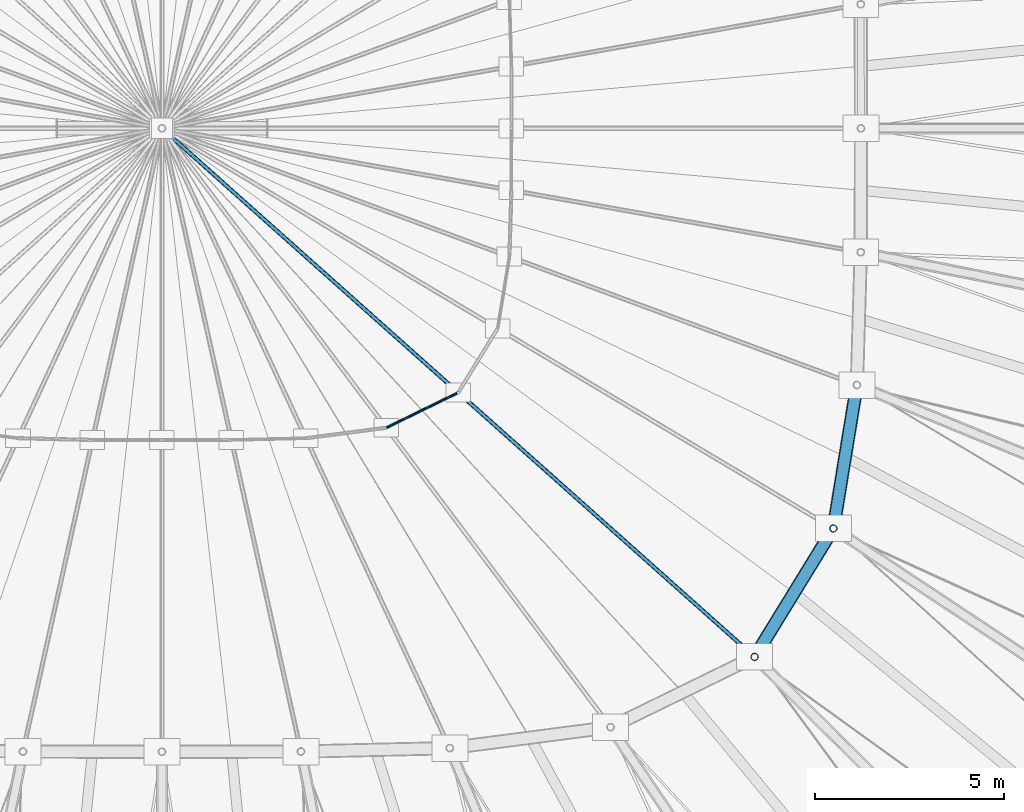
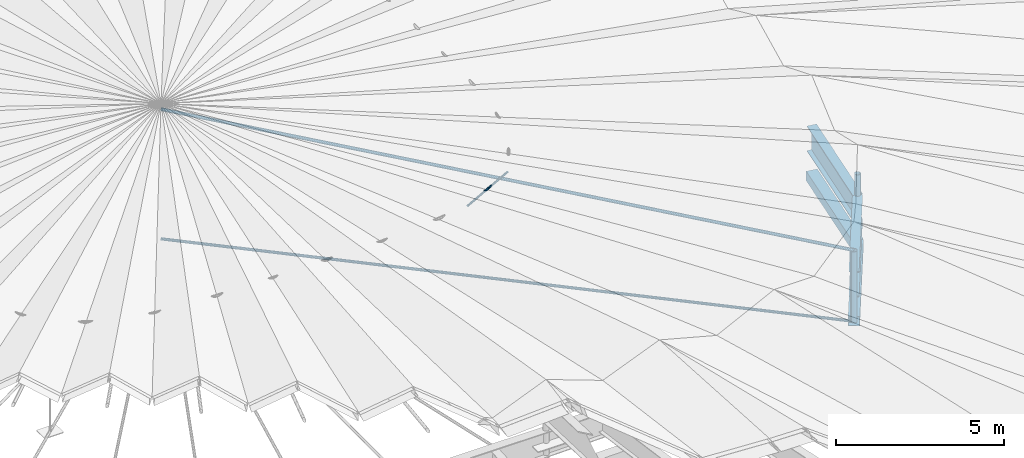
# One storey, part 20 of 41: 7 members, 2 beams.
"""IFC4 building model written with IfcOpenShell, lengths in metres."""

from ifc_helpers import new_model, si_unit, direction, frame, origin, origin_2d, place, context, subcontext, project, spatial, hollow_rectangle, circle, hollow_circle, i_section, extrude, material, material_profile, profile_set, type_object, element, save


model = new_model("IFC4")

# Units and contexts
model_context = context("Model", 3, precision=1e-05, world=origin(), true_north=direction((0.0, 1.0)))
body_context = subcontext(model_context, "Body", "Model", "MODEL_VIEW")
ifc_project = project(units=[si_unit("LENGTHUNIT", "METRE"), si_unit("AREAUNIT", "SQUARE_METRE"), si_unit("VOLUMEUNIT", "CUBIC_METRE"), si_unit("PLANEANGLEUNIT", "RADIAN"), si_unit("MASSUNIT", "GRAM", prefix="KILO")], contexts=[model_context])

# Site, building, storey
site_placement = place(None, origin())
site = spatial("IfcSite", under=ifc_project, at=site_placement, CompositionType="ELEMENT")
building_placement = place(site_placement, origin())
building = spatial("IfcBuilding", under=site, at=building_placement, Name="Luwafu Chhajja Arena", CompositionType="ELEMENT")
storey_placement = place(building_placement, frame((0.0, 0.0, 29.699951171875)))
storey = spatial("IfcBuildingStorey", under=building, at=storey_placement, Name="RF", CompositionType="ELEMENT", Elevation=29.699951171875)

# Members
ifc_material_1 = material(Name="Steel S355", Category="steel")
ifc_material_profile_1 = material_profile(ifc_material_1, hollow_circle(Radius=0.096923828125, WallThickness=0.008056640625, at=origin_2d()), Name="CHS 193.7x8")
ifc_profile_set_1 = profile_set([ifc_material_profile_1], Name="Steel S355")
member_type_1 = type_object("IfcMemberType", Name="Folded Pleat Tie Strut CHS 194", PredefinedType="BRACE", material=ifc_profile_set_1)
for number, where, z_axis, x_axis, name in (
    (1, (114.685546875, 35.51025390625, 4.10009765625), (0.0, 0.0, 1.0), (1.0, 0.0, 0.0), "Roof Inner Ring Truss Web IRW-29"),
    (2, (116.771240234375, 38.909423828125, 4.10009765625), (0.0, 0.0, 1.0), (1.0, 0.0, 0.0), "Roof Inner Ring Truss Web IRW-30"),
):
    element("IfcMember", number, at=place(storey_placement, frame(where, z_axis=z_axis, x_axis=x_axis)), inside=storey, type_object=member_type_1, Name=name, PredefinedType="BRACE", context=body_context, shape_type="SweptSolid", body=[
        extrude(hollow_circle(Radius=0.096923828125, WallThickness=0.008056640625, at=origin_2d()), origin(), (0.0, 0.0, 1.0), 2.579833984375),
    ])

# Beams
ifc_material_profile_2 = material_profile(ifc_material_1, i_section(OverallWidth=0.305419921875, OverallDepth=0.91845703125, WebThickness=0.017333984375, FlangeThickness=0.02783203125, at=origin_2d()), Name="UB 914x305x253")
ifc_profile_set_2 = profile_set([ifc_material_profile_2], Name="Steel S355")
beam_type = type_object("IfcBeamType", Name="Inner Tension Ring Girder UB 914x305x253", PredefinedType="BEAM", material=ifc_profile_set_2)
beam_1_placement = place(storey_placement, frame((114.685546875, 35.51025390625, 5.449951171875), z_axis=(0.522986908325, 0.852340714574, 0.0), x_axis=(-0.852340714574, 0.522986908325, 0.0)))
element("IfcBeam", 3, at=beam_1_placement, inside=storey, type_object=beam_type, Name="Roof Inner Tension Ring Beam IR-29", PredefinedType="BEAM", context=body_context, shape_type="SweptSolid", body=[
    extrude(i_section(OverallWidth=0.305419921875, OverallDepth=0.91845703125, WebThickness=0.017333984375, FlangeThickness=0.02783203125, at=origin_2d()), origin(), (0.0, 0.0, 1.0), 3.988037109375),
])
beam_2_placement = place(storey_placement, frame((116.771240234375, 38.909423828125, 5.449951171875), z_axis=(0.161608835362, 0.986854895277, 0.0), x_axis=(-0.986854895277, 0.161608835362, 0.0)))
element("IfcBeam", 4, at=beam_2_placement, inside=storey, type_object=beam_type, Name="Roof Inner Tension Ring Beam IR-30", PredefinedType="BEAM", context=body_context, shape_type="SweptSolid", body=[
    extrude(i_section(OverallWidth=0.305419921875, OverallDepth=0.91845703125, WebThickness=0.017333984375, FlangeThickness=0.02783203125, at=origin_2d()), origin(), (0.0, 0.0, 1.0), 3.84619140625),
])

# Members
ifc_material_2 = material(Name="Steel S460", Category="steel")
ifc_material_profile_3 = material_profile(ifc_material_2, circle(Radius=0.054931640625, at=origin_2d()), Name="CABLE D110")
ifc_profile_set_3 = profile_set([ifc_material_profile_3], Name="Steel S460")
member_type_2 = type_object("IfcMemberType", Name="Oculus Radial Main Cable D110", PredefinedType="USERDEFINED", material=ifc_profile_set_3)
member_1_placement = place(storey_placement, frame((114.685546875, 35.51025390625, 6.679931640625), z_axis=(-0.742528858031, 0.662252344398, 0.100362977885), x_axis=(-0.665613098431, -0.746296993962, 0.0)))
element("IfcMember", 5, at=member_1_placement, inside=storey, type_object=member_type_2, Name="Cable net main cable CBM-29", ObjectType="CABLE", PredefinedType="USERDEFINED", context=body_context, shape_type="SweptSolid", body=[
    extrude(circle(Radius=0.054931640625, at=origin_2d()), origin(), (0.0, 0.0, 1.0), 21.12451171875),
])
ifc_material_profile_4 = material_profile(ifc_material_2, circle(Radius=0.047607421875, at=origin_2d()), Name="CABLE D95")
ifc_profile_set_4 = profile_set([ifc_material_profile_4], Name="Steel S460")
member_type_3 = type_object("IfcMemberType", Name="Oculus Radial Stabilizing Cable D95", PredefinedType="USERDEFINED", material=ifc_profile_set_4)
member_2_placement = place(storey_placement, frame((114.685546875, 35.51025390625, 4.10009765625), z_axis=(-0.746296993962, 0.665613098431, 0.0), x_axis=(-0.665613098431, -0.746296993962, 0.0)))
element("IfcMember", 6, at=member_2_placement, inside=storey, type_object=member_type_3, Name="Cable net radial split stabilizing cable CBS-29", ObjectType="CABLE", PredefinedType="USERDEFINED", context=body_context, shape_type="SweptSolid", body=[
    extrude(circle(Radius=0.047607421875, at=origin_2d()), origin(), (0.0, 0.0, 1.0), 21.017822265625),
])
ifc_material_profile_5 = material_profile(ifc_material_2, circle(Radius=0.034912109375, at=origin_2d()), Name="CABLE D70")
ifc_profile_set_5 = profile_set([ifc_material_profile_5], Name="Steel S460")
member_type_4 = type_object("IfcMemberType", Name="Oculus Secondary Tie Cable D70", PredefinedType="USERDEFINED", material=ifc_profile_set_5)
member_3_placement = place(storey_placement, frame((104.937255859375, 41.574951171875, 8.02001953125), z_axis=(0.89864668968, 0.438673143841, 0.0), x_axis=(-0.438673143841, 0.89864668968, 0.0)))
element("IfcMember", 7, at=member_3_placement, inside=storey, type_object=member_type_4, Name="Cable net hoop cable CBH-28", ObjectType="CABLE", PredefinedType="USERDEFINED", context=body_context, shape_type="SweptSolid", body=[
    extrude(circle(Radius=0.034912109375, at=origin_2d()), origin(), (0.0, 0.0, 1.0), 2.120361328125),
])
ifc_material_profile_6 = material_profile(ifc_material_1, hollow_rectangle(XDim=0.35009765625, YDim=0.35009765625, WallThickness=0.01611328125, at=origin_2d()), Name="SHS 350x350x16")
ifc_profile_set_6 = profile_set([ifc_material_profile_6], Name="Steel S355")
member_type_5 = type_object("IfcMemberType", Name="Ring Stabilizing Truss Chord SHS 350", PredefinedType="CHORD", material=ifc_profile_set_6)
member_4_placement = place(storey_placement, frame((114.685546875, 35.51025390625, 4.10009765625), z_axis=(0.522986908325, 0.852340714574, 0.0), x_axis=(-0.852340714574, 0.522986908325, 0.0)))
element("IfcMember", 8, at=member_4_placement, inside=storey, type_object=member_type_5, Name="Roof Inner Stabilizing Ring Chord IRC-29", PredefinedType="CHORD", context=body_context, shape_type="SweptSolid", body=[
    extrude(hollow_rectangle(XDim=0.35009765625, YDim=0.35009765625, WallThickness=0.01611328125, at=origin_2d()), origin(), (0.0, 0.0, 1.0), 3.988037109375),
])
member_5_placement = place(storey_placement, frame((116.771240234375, 38.909423828125, 4.10009765625), z_axis=(0.161608835362, 0.986854895277, 0.0), x_axis=(-0.986854895277, 0.161608835362, 0.0)))
element("IfcMember", 9, at=member_5_placement, inside=storey, type_object=member_type_5, Name="Roof Inner Stabilizing Ring Chord IRC-30", PredefinedType="CHORD", context=body_context, shape_type="SweptSolid", body=[
    extrude(hollow_rectangle(XDim=0.35009765625, YDim=0.35009765625, WallThickness=0.01611328125, at=origin_2d()), origin(), (0.0, 0.0, 1.0), 3.84619140625),
])

save(model, "model.ifc")
